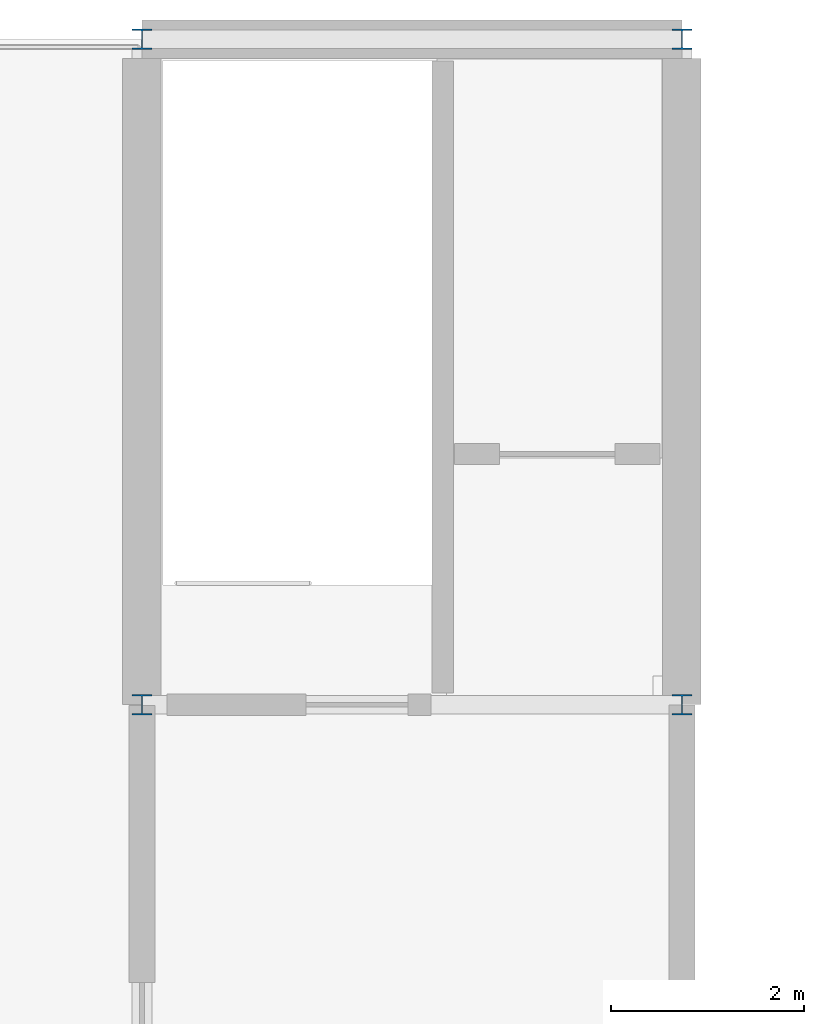
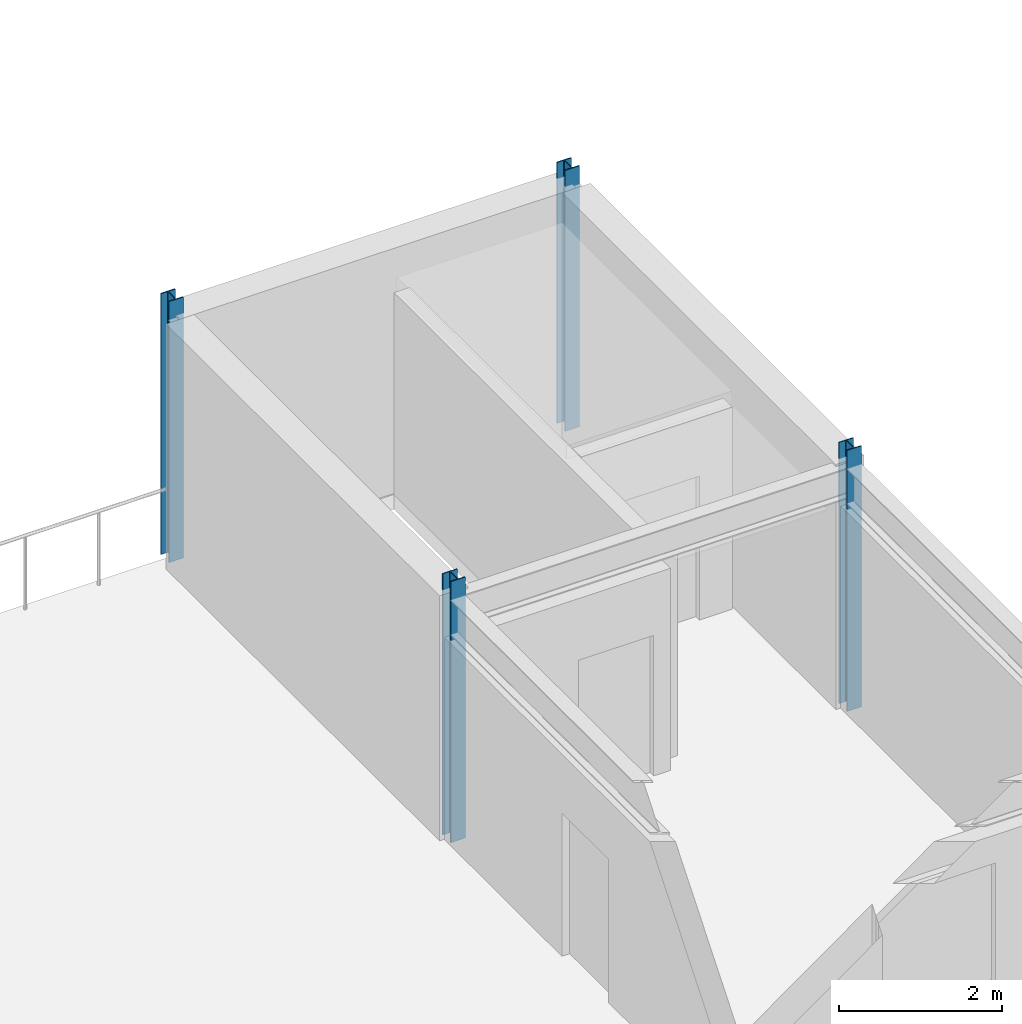
# One storey, part 7 of 49: 4 columns.
"""IFC4 building model written with IfcOpenShell, lengths in metres."""

from ifc_helpers import new_model, si_unit, direction, frame, origin, origin_2d, place, context, subcontext, project, spatial, i_section, extrude, material, material_profile, profile_set, type_object, element, save


model = new_model("IFC4")

# Units and contexts
model_context = context("Model", 3, precision=1e-05, world=origin(), true_north=direction((0.0, 1.0)))
body_context = subcontext(model_context, "Body", "Model", "MODEL_VIEW")
ifc_project = project(units=[si_unit("LENGTHUNIT", "METRE"), si_unit("AREAUNIT", "SQUARE_METRE"), si_unit("VOLUMEUNIT", "CUBIC_METRE"), si_unit("PLANEANGLEUNIT", "RADIAN"), si_unit("MASSUNIT", "GRAM", prefix="KILO")], contexts=[model_context])

# Site, building, storey
site_placement = place(None, origin())
site = spatial("IfcSite", under=ifc_project, at=site_placement, CompositionType="ELEMENT")
building_placement = place(site_placement, origin())
building = spatial("IfcBuilding", under=site, at=building_placement, Name="Trelmorton Wharf Fire Station", CompositionType="ELEMENT")
storey_placement = place(building_placement, frame((0.0, 0.0, 9.60009765625)))
storey = spatial("IfcBuildingStorey", under=building, at=storey_placement, Name="L02", CompositionType="ELEMENT", Elevation=9.60009765625)

# Columns
ifc_material = material(Name="Steel Grade 350", Category="steel")
ifc_material_profile = material_profile(ifc_material, i_section(OverallWidth=0.205078125, OverallDepth=0.2099609375, WebThickness=0.00927734375, FlangeThickness=0.01416015625, FilletRadius=0.011474609375, at=origin_2d()), Name="200UC59.5")
ifc_profile_set = profile_set([ifc_material_profile], Name="Steel Grade 350")
column_type = type_object("IfcColumnType", Name="COL_200UC60", PredefinedType="COLUMN", material=ifc_profile_set)
for number, where, z_axis, x_axis, name in (
    (1, (17.60009765625, 74.10009765625, 0.0), (0.0, 0.0, 1.0), (1.0, 0.0, 0.0), "COL-L02-0462"),
    (2, (17.60009765625, 81.0, 0.0), (0.0, 0.0, 1.0), (1.0, 0.0, 0.0), "COL-L02-0463"),
    (3, (23.199951171875, 74.10009765625, 0.0), (0.0, 0.0, 1.0), (1.0, 0.0, 0.0), "COL-L02-0465"),
    (4, (23.199951171875, 81.0, 0.0), (0.0, 0.0, 1.0), (1.0, 0.0, 0.0), "COL-L02-0466"),
):
    element("IfcColumn", number, at=place(storey_placement, frame(where, z_axis=z_axis, x_axis=x_axis)), inside=storey, type_object=column_type, Name=name, PredefinedType="COLUMN", context=body_context, shape_type="SweptSolid", body=[
        extrude(i_section(OverallWidth=0.205078125, OverallDepth=0.2099609375, WebThickness=0.00927734375, FlangeThickness=0.01416015625, FilletRadius=0.011474609375, at=origin_2d()), origin(), (0.0, 0.0, 1.0), 3.89990234375),
    ])

save(model, "model.ifc")
